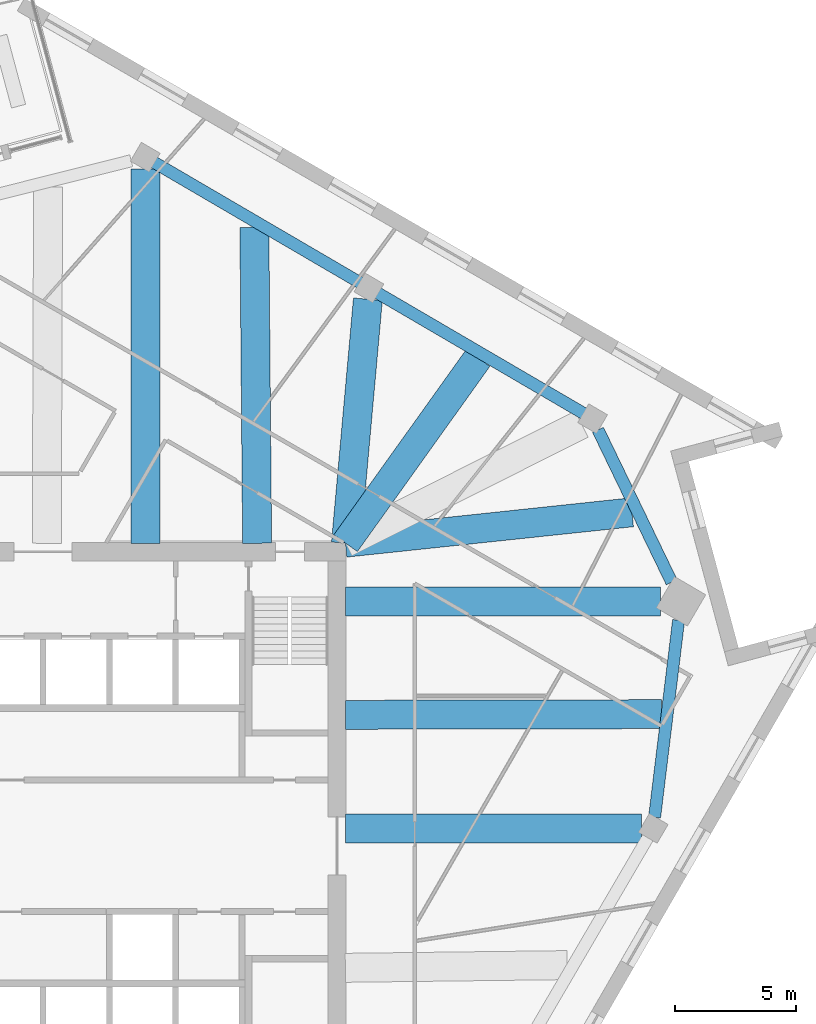
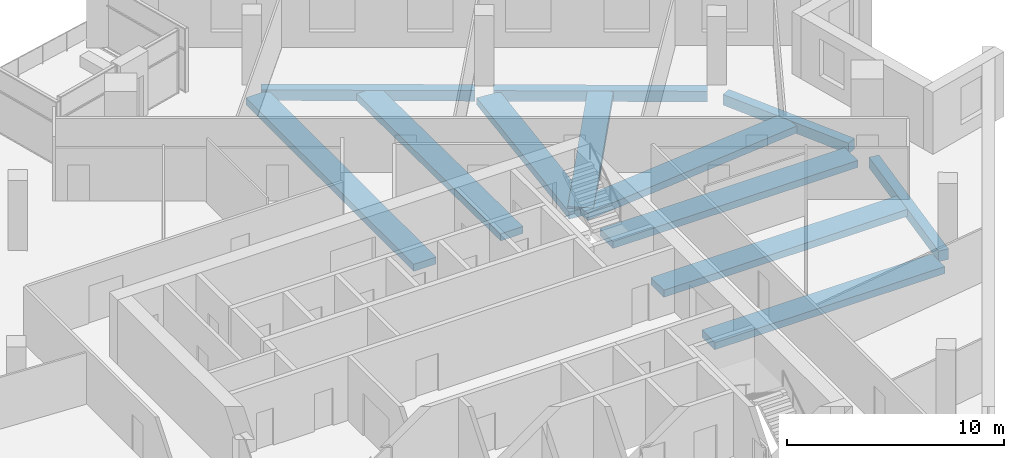
# One storey, part 3 of 13: 12 beams.
"""IFC4 building model written with IfcOpenShell, lengths in metres."""

from ifc_helpers import new_model, si_unit, direction, frame, origin, origin_2d, place, context, subcontext, project, spatial, rectangle, extrude, material, material_profile, profile_set, type_object, element, save


model = new_model("IFC4")

# Units and contexts
model_context = context("Model", 3, precision=1e-05, world=origin(), true_north=direction((0.0, 1.0)))
body_context = subcontext(model_context, "Body", "Model", "MODEL_VIEW")
ifc_project = project(units=[si_unit("LENGTHUNIT", "METRE"), si_unit("AREAUNIT", "SQUARE_METRE"), si_unit("VOLUMEUNIT", "CUBIC_METRE"), si_unit("PLANEANGLEUNIT", "RADIAN"), si_unit("MASSUNIT", "GRAM", prefix="KILO")], contexts=[model_context])

# Site, building, storey
site_placement = place(None, origin())
site = spatial("IfcSite", under=ifc_project, at=site_placement, CompositionType="ELEMENT")
building_placement = place(site_placement, origin())
building = spatial("IfcBuilding", under=site, at=building_placement, Name="Dilmun Exchange Tower", CompositionType="ELEMENT")
storey_placement = place(building_placement, frame((0.0, 0.0, 266.89990234375)))
storey = spatial("IfcBuildingStorey", under=building, at=storey_placement, Name="L63", CompositionType="ELEMENT", Elevation=266.89990234375)

# Beams
ifc_material = material(Name="Concrete C40/50", Category="concrete")
ifc_material_profile_1 = material_profile(ifc_material, rectangle(XDim=1.199951171875, YDim=0.39990234375, at=origin_2d()), Name="1200 x 400")
ifc_profile_set_1 = profile_set([ifc_material_profile_1], Name="Concrete C40/50")
beam_type_1 = type_object("IfcBeamType", Name="RC band beam 1200 x 400 C40/50", PredefinedType="BEAM", material=ifc_profile_set_1)
beam_1_placement = place(storey_placement, frame((24.773681640625, 0.721923828125, -0.659912109375), z_axis=(-1.0, 0.0, 0.0), x_axis=(0.0, -1.0, 0.0)))
element("IfcBeam", 1, at=beam_1_placement, inside=storey, type_object=beam_type_1, Name="Band beam 12", PredefinedType="BEAM", context=body_context, shape_type="SweptSolid", body=[
    extrude(rectangle(XDim=1.199951171875, YDim=0.39990234375, at=origin_2d()), origin(), (0.0, 0.0, 1.0), 12.250732421875),
])
beam_2_placement = place(storey_placement, frame((25.5732421875, 10.1220703125, -0.659912109375), z_axis=(-1.0, 0.0, 0.0), x_axis=(0.0, -1.0, 0.0)))
element("IfcBeam", 2, at=beam_2_placement, inside=storey, type_object=beam_type_1, Name="Band beam 13", PredefinedType="BEAM", context=body_context, shape_type="SweptSolid", body=[
    extrude(rectangle(XDim=1.199951171875, YDim=0.39990234375, at=origin_2d()), origin(), (0.0, 0.0, 1.0), 13.05029296875),
])
beam_3_placement = place(storey_placement, frame((13.456787109375, 22.625732421875, -0.659912109375), z_axis=(-0.089632924375, -0.995974868593, 0.0), x_axis=(0.995974868593, -0.089632924375, 0.0)))
element("IfcBeam", 3, at=beam_3_placement, inside=storey, type_object=beam_type_1, Name="Band beam 15", PredefinedType="BEAM", context=body_context, shape_type="SweptSolid", body=[
    extrude(rectangle(XDim=1.199951171875, YDim=0.39990234375, at=origin_2d()), origin(), (0.0, 0.0, 1.0), 10.143310546875),
])
beam_4_placement = place(storey_placement, frame((4.239990234375, 28.01171875, -0.659912109375), z_axis=(0.0, -1.0, 0.0), x_axis=(1.0, 0.0, 0.0)))
element("IfcBeam", 4, at=beam_4_placement, inside=storey, type_object=beam_type_1, Name="Band beam 16", PredefinedType="BEAM", context=body_context, shape_type="SweptSolid", body=[
    extrude(rectangle(XDim=1.199951171875, YDim=0.39990234375, at=origin_2d()), origin(), (0.0, 0.0, 1.0), 15.48876953125),
])
beam_5_placement = place(storey_placement, frame((25.6201171875, 5.448974609375, -0.559814453125), z_axis=(-0.999997897774, -0.002050474756, 0.0), x_axis=(0.002050474756, -0.999997897774, 0.0)))
element("IfcBeam", 5, at=beam_5_placement, inside=storey, type_object=beam_type_1, Name="Band beam 28", PredefinedType="BEAM", context=body_context, shape_type="SweptSolid", body=[
    extrude(rectangle(XDim=1.199951171875, YDim=0.39990234375, at=origin_2d()), origin(), (0.0, 0.0, 1.0), 13.09716796875),
])
beam_6_placement = place(storey_placement, frame((24.3857421875, 13.804931640625, -0.559814453125), z_axis=(-0.994425543871, -0.105441157505, 0.0), x_axis=(0.105441157505, -0.994425543871, 0.0)))
element("IfcBeam", 6, at=beam_6_placement, inside=storey, type_object=beam_type_1, Name="Band beam 29", PredefinedType="BEAM", context=body_context, shape_type="SweptSolid", body=[
    extrude(rectangle(XDim=1.199951171875, YDim=0.39990234375, at=origin_2d()), origin(), (0.0, 0.0, 1.0), 11.928955078125),
])
beam_7_placement = place(storey_placement, frame((18.01611328125, 20.195556640625, -0.559814453125), z_axis=(-0.581600762294, -0.81347437163, 0.0), x_axis=(0.81347437163, -0.581600762294, 0.0)))
element("IfcBeam", 7, at=beam_7_placement, inside=storey, type_object=beam_type_1, Name="Band beam 30", PredefinedType="BEAM", context=body_context, shape_type="SweptSolid", body=[
    extrude(rectangle(XDim=1.199951171875, YDim=0.39990234375, at=origin_2d()), origin(), (0.0, 0.0, 1.0), 9.425537109375),
])
beam_8_placement = place(storey_placement, frame((8.757080078125, 25.607421875, -0.559814453125), z_axis=(0.008582734208, -0.999963167658, 0.0), x_axis=(0.999963167658, 0.008582734208, 0.0)))
element("IfcBeam", 8, at=beam_8_placement, inside=storey, type_object=beam_type_1, Name="Band beam 31", PredefinedType="BEAM", context=body_context, shape_type="SweptSolid", body=[
    extrude(rectangle(XDim=1.199951171875, YDim=0.39990234375, at=origin_2d()), origin(), (0.0, 0.0, 1.0), 13.0849609375),
])
ifc_material_profile_2 = material_profile(ifc_material, rectangle(XDim=0.5, YDim=0.60009765625, at=origin_2d()), Name="500 x 600")
ifc_profile_set_2 = profile_set([ifc_material_profile_2], Name="Concrete C40/50")
beam_type_2 = type_object("IfcBeamType", Name="RC ring beam 500 x 600 C40/50", PredefinedType="SPANDREL", material=ifc_profile_set_2)
beam_9_placement = place(storey_placement, frame((25.32421875, 1.181640625, -0.659912109375), z_axis=(0.121108645076, 0.992639257781, 0.0), x_axis=(-0.992639257781, 0.121108645076, 0.0)))
element("IfcBeam", 9, at=beam_9_placement, inside=storey, type_object=beam_type_2, Name="Ring beam 12", PredefinedType="SPANDREL", context=body_context, shape_type="SweptSolid", body=[
    extrude(rectangle(XDim=0.5, YDim=0.60009765625, at=origin_2d()), origin(), (0.0, 0.0, 1.0), 8.216796875),
])
beam_10_placement = place(storey_placement, frame((26.033447265625, 10.910888671875, -0.659912109375), z_axis=(-0.435439794363, 0.900217854458, 0.0), x_axis=(-0.900217854458, -0.435439794363, 0.0)))
element("IfcBeam", 10, at=beam_10_placement, inside=storey, type_object=beam_type_2, Name="Ring beam 13", PredefinedType="SPANDREL", context=body_context, shape_type="SweptSolid", body=[
    extrude(rectangle(XDim=0.5, YDim=0.60009765625, at=origin_2d()), origin(), (0.0, 0.0, 1.0), 7.0068359375),
])
beam_11_placement = place(storey_placement, frame((22.392822265625, 17.8955078125, -0.659912109375), z_axis=(-0.863333071594, 0.504634528637, 0.0), x_axis=(-0.504634528637, -0.863333071594, 0.0)))
element("IfcBeam", 11, at=beam_11_placement, inside=storey, type_object=beam_type_2, Name="Ring beam 14", PredefinedType="SPANDREL", context=body_context, shape_type="SweptSolid", body=[
    extrude(rectangle(XDim=0.5, YDim=0.60009765625, at=origin_2d()), origin(), (0.0, 0.0, 1.0), 9.878662109375),
])
beam_12_placement = place(storey_placement, frame((13.1337890625, 23.3076171875, -0.659912109375), z_axis=(-0.863343838609, 0.504616107884, 0.0), x_axis=(-0.504616107884, -0.863343838609, 0.0)))
element("IfcBeam", 12, at=beam_12_placement, inside=storey, type_object=beam_type_2, Name="Ring beam 15", PredefinedType="SPANDREL", context=body_context, shape_type="SweptSolid", body=[
    extrude(rectangle(XDim=0.5, YDim=0.60009765625, at=origin_2d()), origin(), (0.0, 0.0, 1.0), 9.87841796875),
])

save(model, "model.ifc")
